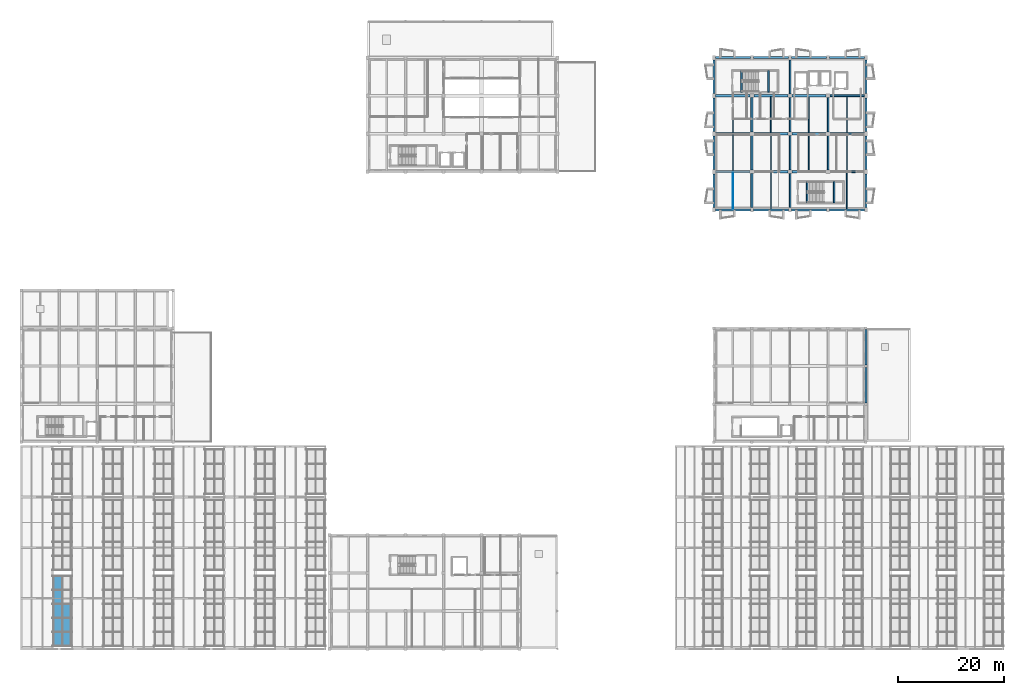
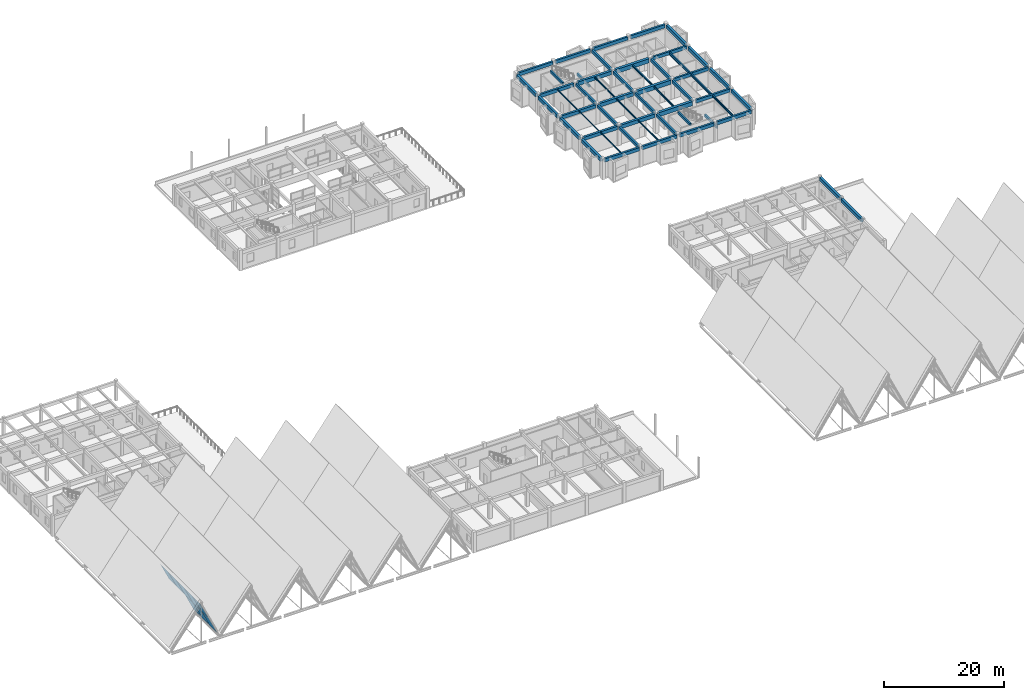
# One storey, part 63 of 99: 54 beams, 8 plates, 1 element without a shape of its own.
"""IFC4 building model written with IfcOpenShell, lengths in metres."""

from ifc_helpers import new_model, si_unit, direction, frame, origin, origin_2d, place, context, subcontext, project, spatial, polyline, rectangle, i_section, outline, extrude, material, layer, layer_set, material_profile, profile_set, type_object, element, aggregate, save


model = new_model("IFC4")

# Units and contexts
model_context = context("Model", 3, precision=1e-05, world=origin(), true_north=direction((0.0, 1.0)))
body_context = subcontext(model_context, "Body", "Model", "MODEL_VIEW")
ifc_project = project(units=[si_unit("LENGTHUNIT", "METRE"), si_unit("AREAUNIT", "SQUARE_METRE"), si_unit("VOLUMEUNIT", "CUBIC_METRE"), si_unit("PLANEANGLEUNIT", "RADIAN"), si_unit("MASSUNIT", "GRAM", prefix="KILO")], contexts=[model_context])

# Site, building, storey
site_placement = place(None, origin())
site = spatial("IfcSite", under=ifc_project, at=site_placement, CompositionType="ELEMENT")
building_placement = place(site_placement, origin())
building = spatial("IfcBuilding", under=site, at=building_placement, Name="Bramveld Media Centre", CompositionType="ELEMENT")
storey_placement = place(building_placement, frame((0.0, 0.0, 13.800048828125)))
storey = spatial("IfcBuildingStorey", under=building, at=storey_placement, Name="L03", CompositionType="ELEMENT", Elevation=13.800048828125)

# Beams
ifc_material_1 = material(Name="Concrete C40/50", Category="concrete")
ifc_material_profile_1 = material_profile(ifc_material_1, rectangle(XDim=0.300048828125, YDim=0.5, at=origin_2d()), Name="RC 300x500")
ifc_profile_set_1 = profile_set([ifc_material_profile_1], Name="Concrete C40/50")
beam_type_1 = type_object("IfcBeamType", Name="BM-INT-RC-300x500", PredefinedType="BEAM", material=ifc_profile_set_1)
for number, where, z_axis, x_axis, name in (
    (1, (136.449951171875, 105.5, 3.949951171875), (0.0, 1.0, 0.0), (-1.0, 0.0, 0.0), "ST-01 L04 stairwell landing trimmer beam"),
    (2, (141.550048828125, 105.5, 1.64990234375), (0.0, 1.0, 0.0), (-1.0, 0.0, 0.0), "ST-01 L03 stairwell half-landing support beam"),
    (3, (148.85009765625, 84.5, 3.949951171875), (0.0, 1.0, 0.0), (-1.0, 0.0, 0.0), "ST-02 L04 stairwell landing trimmer beam"),
    (4, (153.949951171875, 84.5, 1.64990234375), (0.0, 1.0, 0.0), (-1.0, 0.0, 0.0), "ST-02 L03 stairwell half-landing support beam"),
):
    element("IfcBeam", number, at=place(storey_placement, frame(where, z_axis=z_axis, x_axis=x_axis)), inside=storey, type_object=beam_type_1, Name=name, PredefinedType="BEAM", context=body_context, shape_type="SweptSolid", body=[
        extrude(rectangle(XDim=0.300048828125, YDim=0.5, at=origin_2d()), origin(), (0.0, 0.0, 1.0), 4.050048828125),
    ])
ifc_material_2 = material(Name="Concrete C40/50", Category="concrete")
ifc_material_profile_2 = material_profile(ifc_material_2, rectangle(XDim=0.35009765625, YDim=0.60009765625, at=origin_2d()), Name="RC 350x600")
ifc_profile_set_2 = profile_set([ifc_material_profile_2], Name="Concrete C40/50")
beam_type_2 = type_object("IfcBeamType", Name="BM-INT-RC-350x600", PredefinedType="BEAM", material=ifc_profile_set_2)
beam_1_placement = place(storey_placement, frame((138.39990234375, 83.60009765625, 3.64990234375), z_axis=(0.0, 1.0, 0.0), x_axis=(-1.0, 0.0, 0.0)))
element("IfcBeam", 5, at=beam_1_placement, inside=storey, type_object=beam_type_2, Name="V7 L03 girder Y-1410", PredefinedType="BEAM", context=body_context, shape_type="SweptSolid", body=[
    extrude(rectangle(XDim=0.35009765625, YDim=0.60009765625, at=origin_2d()), origin(), (0.0, 0.0, 1.0), 6.449951171875),
])
for number, where, z_axis, x_axis, name in (
    (6, (138.39990234375, 90.75, 3.64990234375), (0.0, 1.0, 0.0), (-1.0, 0.0, 0.0), "V7 L03 girder Y-1411"),
    (7, (138.39990234375, 97.949951171875, 3.64990234375), (0.0, 1.0, 0.0), (-1.0, 0.0, 0.0), "V7 L03 girder Y-1412"),
):
    element("IfcBeam", number, at=place(storey_placement, frame(where, z_axis=z_axis, x_axis=x_axis)), inside=storey, type_object=beam_type_2, Name=name, PredefinedType="BEAM", context=body_context, shape_type="SweptSolid", body=[
        extrude(rectangle(XDim=0.35009765625, YDim=0.60009765625, at=origin_2d()), origin(), (0.0, 0.0, 1.0), 6.5),
    ])
beam_2_placement = place(storey_placement, frame((145.60009765625, 83.60009765625, 3.64990234375), z_axis=(0.0, 1.0, 0.0), x_axis=(-1.0, 0.0, 0.0)))
element("IfcBeam", 8, at=beam_2_placement, inside=storey, type_object=beam_type_2, Name="V7 L03 girder Y-1413", PredefinedType="BEAM", context=body_context, shape_type="SweptSolid", body=[
    extrude(rectangle(XDim=0.35009765625, YDim=0.60009765625, at=origin_2d()), origin(), (0.0, 0.0, 1.0), 6.449951171875),
])
for number, where, z_axis, x_axis, name in (
    (9, (145.60009765625, 90.75, 3.64990234375), (0.0, 1.0, 0.0), (-1.0, 0.0, 0.0), "V7 L03 girder Y-1414"),
    (10, (145.60009765625, 97.949951171875, 3.64990234375), (0.0, 1.0, 0.0), (-1.0, 0.0, 0.0), "V7 L03 girder Y-1415"),
):
    element("IfcBeam", number, at=place(storey_placement, frame(where, z_axis=z_axis, x_axis=x_axis)), inside=storey, type_object=beam_type_2, Name=name, PredefinedType="BEAM", context=body_context, shape_type="SweptSolid", body=[
        extrude(rectangle(XDim=0.35009765625, YDim=0.60009765625, at=origin_2d()), origin(), (0.0, 0.0, 1.0), 6.5),
    ])
beam_3_placement = place(storey_placement, frame((145.60009765625, 105.14990234375, 3.64990234375), z_axis=(0.0, 1.0, 0.0), x_axis=(-1.0, 0.0, 0.0)))
element("IfcBeam", 11, at=beam_3_placement, inside=storey, type_object=beam_type_2, Name="V7 L03 girder Y-1416", PredefinedType="BEAM", context=body_context, shape_type="SweptSolid", body=[
    extrude(rectangle(XDim=0.35009765625, YDim=0.60009765625, at=origin_2d()), origin(), (0.0, 0.0, 1.0), 6.4501953125),
])
for number, where, z_axis, x_axis, name in (
    (12, (152.800048828125, 90.75, 3.64990234375), (0.0, 1.0, 0.0), (-1.0, 0.0, 0.0), "V7 L03 girder Y-1417"),
    (13, (152.800048828125, 97.949951171875, 3.64990234375), (0.0, 1.0, 0.0), (-1.0, 0.0, 0.0), "V7 L03 girder Y-1418"),
):
    element("IfcBeam", number, at=place(storey_placement, frame(where, z_axis=z_axis, x_axis=x_axis)), inside=storey, type_object=beam_type_2, Name=name, PredefinedType="BEAM", context=body_context, shape_type="SweptSolid", body=[
        extrude(rectangle(XDim=0.35009765625, YDim=0.60009765625, at=origin_2d()), origin(), (0.0, 0.0, 1.0), 6.5),
    ])
ifc_material_3 = material(Name="Concrete C40/50", Category="concrete")
ifc_material_profile_3 = material_profile(ifc_material_3, rectangle(XDim=0.35009765625, YDim=0.64990234375, at=origin_2d()), Name="RC 350x650")
ifc_profile_set_3 = profile_set([ifc_material_profile_3], Name="Concrete C40/50")
beam_type_3 = type_object("IfcBeamType", Name="BM-INT-RC-350x650", PredefinedType="BEAM", material=ifc_profile_set_3)
for number, where, z_axis, x_axis, name in (
    (14, (153.14990234375, 90.39990234375, 3.625), (1.0, 0.0, 0.0), (0.0, 1.0, 0.0), "V7 L03 girder X-1393"),
    (15, (153.14990234375, 97.60009765625, 3.625), (1.0, 0.0, 0.0), (0.0, 1.0, 0.0), "V7 L03 girder X-1397"),
    (16, (153.14990234375, 104.800048828125, 3.625), (1.0, 0.0, 0.0), (0.0, 1.0, 0.0), "V7 L03 girder X-1401"),
):
    element("IfcBeam", number, at=place(storey_placement, frame(where, z_axis=z_axis, x_axis=x_axis)), inside=storey, type_object=beam_type_3, Name=name, PredefinedType="BEAM", context=body_context, shape_type="SweptSolid", body=[
        extrude(rectangle(XDim=0.35009765625, YDim=0.64990234375, at=origin_2d()), origin(), (0.0, 0.0, 1.0), 6.5751953125),
    ])
ifc_material_4 = material(Name="Concrete C40/50", Category="concrete")
ifc_material_profile_4 = material_profile(ifc_material_4, rectangle(XDim=0.39990234375, YDim=0.699951171875, at=origin_2d()), Name="RC 400x700")
ifc_profile_set_4 = profile_set([ifc_material_profile_4], Name="Concrete C40/50")
beam_type_4 = type_object("IfcBeamType", Name="BM-INT-RC-400x700", PredefinedType="BEAM", material=ifc_profile_set_4)
for number, where, z_axis, x_axis, name in (
    (17, (131.47509765625, 90.39990234375, 3.599853515625), (1.0, 0.0, 0.0), (0.0, 1.0, 0.0), "V7 L03 girder X-1390"),
    (18, (131.47509765625, 97.60009765625, 3.599853515625), (1.0, 0.0, 0.0), (0.0, 1.0, 0.0), "V7 L03 girder X-1394"),
    (19, (131.47509765625, 104.800048828125, 3.599853515625), (1.0, 0.0, 0.0), (0.0, 1.0, 0.0), "V7 L03 girder X-1398"),
):
    element("IfcBeam", number, at=place(storey_placement, frame(where, z_axis=z_axis, x_axis=x_axis)), inside=storey, type_object=beam_type_4, Name=name, PredefinedType="BEAM", context=body_context, shape_type="SweptSolid", body=[
        extrude(rectangle(XDim=0.39990234375, YDim=0.699951171875, at=origin_2d()), origin(), (0.0, 0.0, 1.0), 6.574951171875),
    ])
ifc_material_5 = material(Name="Concrete C40/50", Category="concrete")
ifc_material_profile_5 = material_profile(ifc_material_5, rectangle(XDim=0.449951171875, YDim=0.75, at=origin_2d()), Name="RC 450x750")
ifc_profile_set_5 = profile_set([ifc_material_profile_5], Name="Concrete C40/50")
beam_type_5 = type_object("IfcBeamType", Name="BM-INT-RC-450x750", PredefinedType="BEAM", material=ifc_profile_set_5)
for number, where, z_axis, x_axis, name in (
    (20, (138.75, 90.39990234375, 3.574951171875), (1.0, 0.0, 0.0), (0.0, 1.0, 0.0), "V7 L03 girder X-1391"),
    (21, (138.75, 97.60009765625, 3.574951171875), (1.0, 0.0, 0.0), (0.0, 1.0, 0.0), "V7 L03 girder X-1395"),
    (22, (138.75, 104.800048828125, 3.574951171875), (1.0, 0.0, 0.0), (0.0, 1.0, 0.0), "V7 L03 girder X-1399"),
):
    element("IfcBeam", number, at=place(storey_placement, frame(where, z_axis=z_axis, x_axis=x_axis)), inside=storey, type_object=beam_type_5, Name=name, PredefinedType="BEAM", context=body_context, shape_type="SweptSolid", body=[
        extrude(rectangle(XDim=0.449951171875, YDim=0.75, at=origin_2d()), origin(), (0.0, 0.0, 1.0), 6.5),
    ])
ifc_material_6 = material(Name="Concrete C40/50", Category="concrete")
ifc_material_profile_6 = material_profile(ifc_material_6, rectangle(XDim=0.5, YDim=0.85009765625, at=origin_2d()), Name="RC 500x850")
ifc_profile_set_6 = profile_set([ifc_material_profile_6], Name="Concrete C40/50")
beam_type_6 = type_object("IfcBeamType", Name="BM-INT-RC-500x850", PredefinedType="BEAM", material=ifc_profile_set_6)
for number, where, z_axis, x_axis, name in (
    (23, (145.949951171875, 90.39990234375, 3.52490234375), (1.0, 0.0, 0.0), (0.0, 1.0, 0.0), "V7 L03 girder X-1392"),
    (24, (145.949951171875, 97.60009765625, 3.52490234375), (1.0, 0.0, 0.0), (0.0, 1.0, 0.0), "V7 L03 girder X-1396"),
    (25, (145.949951171875, 104.800048828125, 3.52490234375), (1.0, 0.0, 0.0), (0.0, 1.0, 0.0), "V7 L03 girder X-1400"),
):
    element("IfcBeam", number, at=place(storey_placement, frame(where, z_axis=z_axis, x_axis=x_axis)), inside=storey, type_object=beam_type_6, Name=name, PredefinedType="BEAM", context=body_context, shape_type="SweptSolid", body=[
        extrude(rectangle(XDim=0.5, YDim=0.85009765625, at=origin_2d()), origin(), (0.0, 0.0, 1.0), 6.5),
    ])
ifc_material_7 = material(Name="Steel S355J2", Category="steel")
ifc_material_profile_7 = material_profile(ifc_material_7, i_section(OverallWidth=0.091064453125, OverallDepth=0.179931640625, WebThickness=0.00537109375, FlangeThickness=0.008056640625, FilletRadius=0.009033203125, at=origin_2d()), Name="IPE 180")
ifc_profile_set_7 = profile_set([ifc_material_profile_7], Name="Steel S355J2")
beam_type_7 = type_object("IfcBeamType", Name="SBM-INT-IPE-180", PredefinedType="JOIST", material=ifc_profile_set_7)
beam_4_placement = place(storey_placement, frame((134.800048828125, 83.389892578125, 3.85986328125), z_axis=(0.0, 1.0, 0.0), x_axis=(-1.0, 0.0, 0.0)))
element("IfcBeam", 26, at=beam_4_placement, inside=storey, type_object=beam_type_7, Name="V7 L03 secondary floor joist 1423", PredefinedType="JOIST", context=body_context, shape_type="SweptSolid", body=[
    extrude(i_section(OverallWidth=0.091064453125, OverallDepth=0.179931640625, WebThickness=0.00537109375, FlangeThickness=0.008056640625, FilletRadius=0.009033203125, at=origin_2d()), origin(), (0.0, 0.0, 1.0), 6.81005859375),
])
ifc_material_8 = material(Name="Steel S355J2", Category="steel")
ifc_material_profile_8 = material_profile(ifc_material_8, i_section(OverallWidth=0.110107421875, OverallDepth=0.219970703125, WebThickness=0.005859375, FlangeThickness=0.00927734375, FilletRadius=0.011962890625, at=origin_2d()), Name="IPE 220")
ifc_profile_set_8 = profile_set([ifc_material_profile_8], Name="Steel S355J2")
beam_type_8 = type_object("IfcBeamType", Name="SBM-INT-IPE-220", PredefinedType="JOIST", material=ifc_profile_set_8)
beam_5_placement = place(storey_placement, frame((134.800048828125, 90.60009765625, 3.83984375), z_axis=(0.0, 1.0, 0.0), x_axis=(-1.0, 0.0, 0.0)))
element("IfcBeam", 27, at=beam_5_placement, inside=storey, type_object=beam_type_8, Name="V7 L03 secondary floor joist 1424", PredefinedType="JOIST", context=body_context, shape_type="SweptSolid", body=[
    extrude(i_section(OverallWidth=0.110107421875, OverallDepth=0.219970703125, WebThickness=0.005859375, FlangeThickness=0.00927734375, FilletRadius=0.011962890625, at=origin_2d()), origin(), (0.0, 0.0, 1.0), 6.7998046875),
])
ifc_material_9 = material(Name="Steel S355J2", Category="steel")
ifc_material_profile_9 = material_profile(ifc_material_9, i_section(OverallWidth=0.1201171875, OverallDepth=0.239990234375, WebThickness=0.006103515625, FlangeThickness=0.009765625, FilletRadius=0.014892578125, at=origin_2d()), Name="IPE 240")
ifc_profile_set_9 = profile_set([ifc_material_profile_9], Name="Steel S355J2")
beam_type_9 = type_object("IfcBeamType", Name="SBM-INT-IPE-240", PredefinedType="JOIST", material=ifc_profile_set_9)
beam_6_placement = place(storey_placement, frame((134.800048828125, 97.800048828125, 3.829833984375), z_axis=(0.0, 1.0, 0.0), x_axis=(-1.0, 0.0, 0.0)))
element("IfcBeam", 28, at=beam_6_placement, inside=storey, type_object=beam_type_9, Name="V7 L03 secondary floor joist 1425", PredefinedType="JOIST", context=body_context, shape_type="SweptSolid", body=[
    extrude(i_section(OverallWidth=0.1201171875, OverallDepth=0.239990234375, WebThickness=0.006103515625, FlangeThickness=0.009765625, FilletRadius=0.014892578125, at=origin_2d()), origin(), (0.0, 0.0, 1.0), 6.800048828125),
])
ifc_material_10 = material(Name="Steel S355J2", Category="steel")
ifc_material_profile_10 = material_profile(ifc_material_10, i_section(OverallWidth=0.135009765625, OverallDepth=0.27001953125, WebThickness=0.006591796875, FlangeThickness=0.01025390625, FilletRadius=0.014892578125, at=origin_2d()), Name="IPE 270")
ifc_profile_set_10 = profile_set([ifc_material_profile_10], Name="Steel S355J2")
beam_type_10 = type_object("IfcBeamType", Name="SBM-INT-IPE-270", PredefinedType="JOIST", material=ifc_profile_set_10)
beam_7_placement = place(storey_placement, frame((142.0, 83.389892578125, 3.81494140625), z_axis=(0.0, 1.0, 0.0), x_axis=(-1.0, 0.0, 0.0)))
element("IfcBeam", 29, at=beam_7_placement, inside=storey, type_object=beam_type_10, Name="V7 L03 secondary floor joist 1426", PredefinedType="JOIST", context=body_context, shape_type="SweptSolid", body=[
    extrude(i_section(OverallWidth=0.135009765625, OverallDepth=0.27001953125, WebThickness=0.006591796875, FlangeThickness=0.01025390625, FilletRadius=0.014892578125, at=origin_2d()), origin(), (0.0, 0.0, 1.0), 6.78515625),
])
ifc_material_11 = material(Name="Steel S355J2", Category="steel")
ifc_material_profile_11 = material_profile(ifc_material_11, i_section(OverallWidth=0.14990234375, OverallDepth=0.300048828125, WebThickness=0.007080078125, FlangeThickness=0.0107421875, FilletRadius=0.014892578125, at=origin_2d()), Name="IPE 300")
ifc_profile_set_11 = profile_set([ifc_material_profile_11], Name="Steel S355J2")
beam_type_11 = type_object("IfcBeamType", Name="SBM-INT-IPE-300", PredefinedType="JOIST", material=ifc_profile_set_11)
beam_8_placement = place(storey_placement, frame((142.0, 90.625, 3.800048828125), z_axis=(0.0, 1.0, 0.0), x_axis=(-1.0, 0.0, 0.0)))
element("IfcBeam", 30, at=beam_8_placement, inside=storey, type_object=beam_type_11, Name="V7 L03 secondary floor joist 1427", PredefinedType="JOIST", context=body_context, shape_type="SweptSolid", body=[
    extrude(i_section(OverallWidth=0.14990234375, OverallDepth=0.300048828125, WebThickness=0.007080078125, FlangeThickness=0.0107421875, FilletRadius=0.014892578125, at=origin_2d()), origin(), (0.0, 0.0, 1.0), 6.75),
])
ifc_material_12 = material(Name="Steel S355J2", Category="steel")
ifc_material_profile_12 = material_profile(ifc_material_12, i_section(OverallWidth=0.159912109375, OverallDepth=0.330078125, WebThickness=0.007568359375, FlangeThickness=0.011474609375, FilletRadius=0.01806640625, at=origin_2d()), Name="IPE 330")
ifc_profile_set_12 = profile_set([ifc_material_profile_12], Name="Steel S355J2")
beam_type_12 = type_object("IfcBeamType", Name="SBM-INT-IPE-330", PredefinedType="JOIST", material=ifc_profile_set_12)
beam_9_placement = place(storey_placement, frame((142.0, 97.824951171875, 3.784912109375), z_axis=(0.0, 1.0, 0.0), x_axis=(-1.0, 0.0, 0.0)))
element("IfcBeam", 31, at=beam_9_placement, inside=storey, type_object=beam_type_12, Name="V7 L03 secondary floor joist 1428", PredefinedType="JOIST", context=body_context, shape_type="SweptSolid", body=[
    extrude(i_section(OverallWidth=0.159912109375, OverallDepth=0.330078125, WebThickness=0.007568359375, FlangeThickness=0.011474609375, FilletRadius=0.01806640625, at=origin_2d()), origin(), (0.0, 0.0, 1.0), 6.75),
])
ifc_material_13 = material(Name="Steel S355J2", Category="steel")
ifc_material_profile_13 = material_profile(ifc_material_13, i_section(OverallWidth=0.169921875, OverallDepth=0.360107421875, WebThickness=0.008056640625, FlangeThickness=0.0126953125, FilletRadius=0.01806640625, at=origin_2d()), Name="IPE 360")
ifc_profile_set_13 = profile_set([ifc_material_profile_13], Name="Steel S355J2")
beam_type_13 = type_object("IfcBeamType", Name="SBM-INT-IPE-360", PredefinedType="JOIST", material=ifc_profile_set_13)
beam_10_placement = place(storey_placement, frame((149.199951171875, 90.64990234375, 3.77001953125), z_axis=(0.0, 1.0, 0.0), x_axis=(-1.0, 0.0, 0.0)))
element("IfcBeam", 32, at=beam_10_placement, inside=storey, type_object=beam_type_13, Name="V7 L03 secondary floor joist 1429", PredefinedType="JOIST", context=body_context, shape_type="SweptSolid", body=[
    extrude(i_section(OverallWidth=0.169921875, OverallDepth=0.360107421875, WebThickness=0.008056640625, FlangeThickness=0.0126953125, FilletRadius=0.01806640625, at=origin_2d()), origin(), (0.0, 0.0, 1.0), 6.7001953125),
])
ifc_material_14 = material(Name="Steel S355J2", Category="steel")
ifc_material_profile_14 = material_profile(ifc_material_14, i_section(OverallWidth=0.179931640625, OverallDepth=0.39990234375, WebThickness=0.008544921875, FlangeThickness=0.013427734375, FilletRadius=0.02099609375, at=origin_2d()), Name="IPE 400")
ifc_profile_set_14 = profile_set([ifc_material_profile_14], Name="Steel S355J2")
beam_type_14 = type_object("IfcBeamType", Name="SBM-INT-IPE-400", PredefinedType="JOIST", material=ifc_profile_set_14)
beam_11_placement = place(storey_placement, frame((149.199951171875, 97.85009765625, 3.75), z_axis=(0.0, 1.0, 0.0), x_axis=(-1.0, 0.0, 0.0)))
element("IfcBeam", 33, at=beam_11_placement, inside=storey, type_object=beam_type_14, Name="V7 L03 secondary floor joist 1430", PredefinedType="JOIST", context=body_context, shape_type="SweptSolid", body=[
    extrude(i_section(OverallWidth=0.179931640625, OverallDepth=0.39990234375, WebThickness=0.008544921875, FlangeThickness=0.013427734375, FilletRadius=0.02099609375, at=origin_2d()), origin(), (0.0, 0.0, 1.0), 6.699951171875),
])
ifc_material_15 = material(Name="Steel S355J2", Category="steel")
ifc_material_profile_15 = material_profile(ifc_material_15, i_section(OverallWidth=0.18994140625, OverallDepth=0.449951171875, WebThickness=0.009521484375, FlangeThickness=0.0146484375, FilletRadius=0.02099609375, at=origin_2d()), Name="IPE 450")
ifc_profile_set_15 = profile_set([ifc_material_profile_15], Name="Steel S355J2")
beam_type_15 = type_object("IfcBeamType", Name="SBM-INT-IPE-450", PredefinedType="BEAM", material=ifc_profile_set_15)
beam_12_placement = place(storey_placement, frame((156.39990234375, 83.389892578125, 3.724853515625), z_axis=(0.0, 1.0, 0.0), x_axis=(-1.0, 0.0, 0.0)))
element("IfcBeam", 34, at=beam_12_placement, inside=storey, type_object=beam_type_15, Name="V7 L03 secondary floor joist 1431", PredefinedType="BEAM", context=body_context, shape_type="SweptSolid", body=[
    extrude(i_section(OverallWidth=0.18994140625, OverallDepth=0.449951171875, WebThickness=0.009521484375, FlangeThickness=0.0146484375, FilletRadius=0.02099609375, at=origin_2d()), origin(), (0.0, 0.0, 1.0), 6.835205078125),
])
ifc_material_16 = material(Name="Steel S355J2", Category="steel")
ifc_material_profile_16 = material_profile(ifc_material_16, i_section(OverallWidth=0.199951171875, OverallDepth=0.5, WebThickness=0.01025390625, FlangeThickness=0.01611328125, FilletRadius=0.02099609375, at=origin_2d()), Name="IPE 500")
ifc_profile_set_16 = profile_set([ifc_material_profile_16], Name="Steel S355J2")
beam_type_16 = type_object("IfcBeamType", Name="SBM-INT-IPE-500", PredefinedType="BEAM", material=ifc_profile_set_16)
beam_13_placement = place(storey_placement, frame((156.39990234375, 90.574951171875, 3.699951171875), z_axis=(0.0, 1.0, 0.0), x_axis=(-1.0, 0.0, 0.0)))
element("IfcBeam", 35, at=beam_13_placement, inside=storey, type_object=beam_type_16, Name="V7 L03 secondary floor joist 1432", PredefinedType="BEAM", context=body_context, shape_type="SweptSolid", body=[
    extrude(i_section(OverallWidth=0.199951171875, OverallDepth=0.5, WebThickness=0.01025390625, FlangeThickness=0.01611328125, FilletRadius=0.02099609375, at=origin_2d()), origin(), (0.0, 0.0, 1.0), 6.85009765625),
])
ifc_material_17 = material(Name="Steel S355J2", Category="steel")
ifc_material_profile_17 = material_profile(ifc_material_17, i_section(OverallWidth=0.2099609375, OverallDepth=0.550048828125, WebThickness=0.010986328125, FlangeThickness=0.01708984375, FilletRadius=0.02392578125, at=origin_2d()), Name="IPE 550")
ifc_profile_set_17 = profile_set([ifc_material_profile_17], Name="Steel S355J2")
beam_type_17 = type_object("IfcBeamType", Name="SBM-INT-IPE-550", PredefinedType="BEAM", material=ifc_profile_set_17)
beam_14_placement = place(storey_placement, frame((156.39990234375, 97.77490234375, 3.675048828125), z_axis=(0.0, 1.0, 0.0), x_axis=(-1.0, 0.0, 0.0)))
element("IfcBeam", 36, at=beam_14_placement, inside=storey, type_object=beam_type_17, Name="V7 L03 secondary floor joist 1433", PredefinedType="BEAM", context=body_context, shape_type="SweptSolid", body=[
    extrude(i_section(OverallWidth=0.2099609375, OverallDepth=0.550048828125, WebThickness=0.010986328125, FlangeThickness=0.01708984375, FilletRadius=0.02392578125, at=origin_2d()), origin(), (0.0, 0.0, 1.0), 6.85009765625),
])
ifc_material_18 = material(Name="Concrete C40/50", Category="concrete")
ifc_material_profile_18 = material_profile(ifc_material_18, rectangle(XDim=0.3798828125, YDim=0.679931640625, at=origin_2d()), Name="RC 380x680")
ifc_profile_set_18 = profile_set([ifc_material_profile_18], Name="Concrete C40/50")
beam_type_18 = type_object("IfcBeamType", Name="SPANDREL-EXT-RC-380x680", PredefinedType="SPANDREL", material=ifc_profile_set_18)
for number, where, z_axis, x_axis, name in (
    (37, (131.47509765625, 83.199951171875, 3.60986328125), (1.0, 0.0, 0.0), (0.0, 1.0, 0.0), "V7 L03 girder X-1386"),
    (38, (138.675048828125, 83.199951171875, 3.60986328125), (1.0, 0.0, 0.0), (0.0, 1.0, 0.0), "V7 L03 girder X-1387"),
    (39, (145.875, 83.199951171875, 3.60986328125), (1.0, 0.0, 0.0), (0.0, 1.0, 0.0), "V7 L03 girder X-1388"),
):
    element("IfcBeam", number, at=place(storey_placement, frame(where, z_axis=z_axis, x_axis=x_axis)), inside=storey, type_object=beam_type_18, Name=name, PredefinedType="SPANDREL", context=body_context, shape_type="SweptSolid", body=[
        extrude(rectangle(XDim=0.3798828125, YDim=0.679931640625, at=origin_2d()), origin(), (0.0, 0.0, 1.0), 6.64990234375),
    ])
beam_15_placement = place(storey_placement, frame((153.074951171875, 83.199951171875, 3.60986328125), z_axis=(1.0, 0.0, 0.0), x_axis=(0.0, 1.0, 0.0)))
element("IfcBeam", 40, at=beam_15_placement, inside=storey, type_object=beam_type_18, Name="V7 L03 girder X-1389", PredefinedType="SPANDREL", context=body_context, shape_type="SweptSolid", body=[
    extrude(rectangle(XDim=0.3798828125, YDim=0.679931640625, at=origin_2d()), origin(), (0.0, 0.0, 1.0), 6.650146484375),
])
for number, where, z_axis, x_axis, name in (
    (41, (131.47509765625, 112.0, 3.60986328125), (1.0, 0.0, 0.0), (0.0, 1.0, 0.0), "V7 L03 girder X-1402"),
    (42, (138.675048828125, 112.0, 3.60986328125), (1.0, 0.0, 0.0), (0.0, 1.0, 0.0), "V7 L03 girder X-1403"),
    (43, (145.875, 112.0, 3.60986328125), (1.0, 0.0, 0.0), (0.0, 1.0, 0.0), "V7 L03 girder X-1404"),
):
    element("IfcBeam", number, at=place(storey_placement, frame(where, z_axis=z_axis, x_axis=x_axis)), inside=storey, type_object=beam_type_18, Name=name, PredefinedType="SPANDREL", context=body_context, shape_type="SweptSolid", body=[
        extrude(rectangle(XDim=0.3798828125, YDim=0.679931640625, at=origin_2d()), origin(), (0.0, 0.0, 1.0), 6.64990234375),
    ])
beam_16_placement = place(storey_placement, frame((153.074951171875, 112.0, 3.60986328125), z_axis=(1.0, 0.0, 0.0), x_axis=(0.0, 1.0, 0.0)))
element("IfcBeam", 44, at=beam_16_placement, inside=storey, type_object=beam_type_18, Name="V7 L03 girder X-1405", PredefinedType="SPANDREL", context=body_context, shape_type="SweptSolid", body=[
    extrude(rectangle(XDim=0.3798828125, YDim=0.679931640625, at=origin_2d()), origin(), (0.0, 0.0, 1.0), 6.650146484375),
])
ifc_material_19 = material(Name="Concrete C40/50", Category="concrete")
ifc_material_profile_19 = material_profile(ifc_material_19, rectangle(XDim=0.419921875, YDim=0.719970703125, at=origin_2d()), Name="RC 420x720")
ifc_profile_set_19 = profile_set([ifc_material_profile_19], Name="Concrete C40/50")
beam_type_19 = type_object("IfcBeamType", Name="SPANDREL-EXT-RC-420x720", PredefinedType="SPANDREL", material=ifc_profile_set_19)
beam_17_placement = place(storey_placement, frame((160.0, 46.639892578125, 3.599853515625), z_axis=(0.0, 1.0, 0.0), x_axis=(-1.0, 0.0, 0.0)))
element("IfcBeam", 45, at=beam_17_placement, inside=storey, type_object=beam_type_19, Name="V4 L03 girder Y-642", PredefinedType="SPANDREL", context=body_context, shape_type="SweptSolid", body=[
    extrude(rectangle(XDim=0.419921875, YDim=0.719970703125, at=origin_2d()), origin(), (0.0, 0.0, 1.0), 6.72021484375),
])
beam_18_placement = place(storey_placement, frame((160.0, 53.840087890625, 3.599853515625), z_axis=(0.0, 1.0, 0.0), x_axis=(-1.0, 0.0, 0.0)))
element("IfcBeam", 46, at=beam_18_placement, inside=storey, type_object=beam_type_19, Name="V4 L03 girder Y-643", PredefinedType="SPANDREL", context=body_context, shape_type="SweptSolid", body=[
    extrude(rectangle(XDim=0.419921875, YDim=0.719970703125, at=origin_2d()), origin(), (0.0, 0.0, 1.0), 6.719970703125),
])
for number, where, z_axis, x_axis, name in (
    (47, (131.199951171875, 83.60009765625, 3.58984375), (0.0, 1.0, 0.0), (-1.0, 0.0, 0.0), "V7 L03 girder Y-1406"),
    (48, (131.199951171875, 90.800048828125, 3.58984375), (0.0, 1.0, 0.0), (-1.0, 0.0, 0.0), "V7 L03 girder Y-1407"),
    (49, (131.199951171875, 98.0, 3.58984375), (0.0, 1.0, 0.0), (-1.0, 0.0, 0.0), "V7 L03 girder Y-1408"),
):
    element("IfcBeam", number, at=place(storey_placement, frame(where, z_axis=z_axis, x_axis=x_axis)), inside=storey, type_object=beam_type_19, Name=name, PredefinedType="SPANDREL", context=body_context, shape_type="SweptSolid", body=[
        extrude(rectangle(XDim=0.419921875, YDim=0.719970703125, at=origin_2d()), origin(), (0.0, 0.0, 1.0), 6.39990234375),
    ])
beam_19_placement = place(storey_placement, frame((131.199951171875, 105.199951171875, 3.58984375), z_axis=(0.0, 1.0, 0.0), x_axis=(-1.0, 0.0, 0.0)))
element("IfcBeam", 50, at=beam_19_placement, inside=storey, type_object=beam_type_19, Name="V7 L03 girder Y-1409", PredefinedType="SPANDREL", context=body_context, shape_type="SweptSolid", body=[
    extrude(rectangle(XDim=0.419921875, YDim=0.719970703125, at=origin_2d()), origin(), (0.0, 0.0, 1.0), 6.400146484375),
])
for number, where, z_axis, x_axis, name in (
    (51, (160.0, 83.60009765625, 3.58984375), (0.0, 1.0, 0.0), (-1.0, 0.0, 0.0), "V7 L03 girder Y-1419"),
    (52, (160.0, 90.800048828125, 3.58984375), (0.0, 1.0, 0.0), (-1.0, 0.0, 0.0), "V7 L03 girder Y-1420"),
    (53, (160.0, 98.0, 3.58984375), (0.0, 1.0, 0.0), (-1.0, 0.0, 0.0), "V7 L03 girder Y-1421"),
):
    element("IfcBeam", number, at=place(storey_placement, frame(where, z_axis=z_axis, x_axis=x_axis)), inside=storey, type_object=beam_type_19, Name=name, PredefinedType="SPANDREL", context=body_context, shape_type="SweptSolid", body=[
        extrude(rectangle(XDim=0.419921875, YDim=0.719970703125, at=origin_2d()), origin(), (0.0, 0.0, 1.0), 6.39990234375),
    ])
beam_20_placement = place(storey_placement, frame((160.0, 105.199951171875, 3.58984375), z_axis=(0.0, 1.0, 0.0), x_axis=(-1.0, 0.0, 0.0)))
element("IfcBeam", 54, at=beam_20_placement, inside=storey, type_object=beam_type_19, Name="V7 L03 girder Y-1422", PredefinedType="SPANDREL", context=body_context, shape_type="SweptSolid", body=[
    extrude(rectangle(XDim=0.419921875, YDim=0.719970703125, at=origin_2d()), origin(), (0.0, 0.0, 1.0), 6.400146484375),
])

# Curtain wall, plates
ifc_material_20 = material(Name="Thermally broken anodized bronze aluminium unitized curtain wall with solar-control triple glazing", Category="aluminium")
curtain_wall_type = type_object("IfcCurtainWallType", Name="CW-SAW-13300x8606", PredefinedType="NOTDEFINED", material=ifc_material_20)
curtain_wall_placement = place(storey_placement, origin())
curtain_wall = element("IfcCurtainWall", 55, at=curtain_wall_placement, inside=storey, type_object=curtain_wall_type, Name="V2 sawtooth north-light clerestory B1-S1", PredefinedType="NOTDEFINED")
ifc_material_21 = material(Name="Solar-control triple insulating safety glass unit", Category="glass")
ifc_layer = layer(ifc_material_21, 0.028076171875)
ifc_layer_set = layer_set([ifc_layer], Name="Solar-control triple insulating safety glass unit")
plate_type = type_object("IfcPlateType", Name="CW-PAN-SLP", PredefinedType="CURTAIN_PANEL", material=ifc_layer_set)
plate_1_placement = place(storey_placement, frame((9.439697265625, 0.6201171875, 0.322509765625), z_axis=(0.9056675867, 0.0, 0.423988469657), x_axis=(0.0, 1.0, 0.0)))
plate_1 = element("IfcPlate", 56, at=plate_1_placement, type_object=plate_type, Name="CW-SA-13386 glass panel 1.1", PredefinedType="CURTAIN_PANEL", context=body_context, shape_type="SweptSolid", body=[
    extrude(outline(polyline([(0.0, 0.0), (2.554931640625, 0.0), (2.554931640625, 3.8764136412276113), (0.0, 3.8764136412276113), (0.0, 0.0)])), origin(), (0.0, 0.0, -1.0), 0.028076171875),
])
plate_2_placement = place(storey_placement, frame((7.7666015625, 0.6201171875, 3.896728515625), z_axis=(0.9056675867, 0.0, 0.423988469657), x_axis=(0.0, 1.0, 0.0)))
plate_2 = element("IfcPlate", 57, at=plate_2_placement, type_object=plate_type, Name="CW-SA-13386 glass panel 1.2", PredefinedType="CURTAIN_PANEL", context=body_context, shape_type="SweptSolid", body=[
    extrude(outline(polyline([(0.0, 0.0), (2.554931640625, 0.0), (2.554931640625, 3.8764136412276113), (0.0, 3.8764136412276113), (0.0, 0.0)])), origin(), (0.0, 0.0, -1.0), 0.028076171875),
])
plate_3_placement = place(storey_placement, frame((9.439697265625, 3.2451171875, 0.322509765625), z_axis=(0.9056675867, 0.0, 0.423988469657), x_axis=(0.0, 1.0, 0.0)))
plate_3 = element("IfcPlate", 58, at=plate_3_placement, type_object=plate_type, Name="CW-SA-13386 glass panel 2.1", PredefinedType="CURTAIN_PANEL", context=body_context, shape_type="SweptSolid", body=[
    extrude(outline(polyline([(0.0, 0.0), (2.58984375, 0.0), (2.58984375, 3.876413641227611), (0.0, 3.876413641227611), (0.0, 0.0)])), origin(), (0.0, 0.0, -1.0), 0.028076171875),
])
plate_4_placement = place(storey_placement, frame((7.7666015625, 3.2451171875, 3.896728515625), z_axis=(0.9056675867, 0.0, 0.423988469657), x_axis=(0.0, 1.0, 0.0)))
plate_4 = element("IfcPlate", 59, at=plate_4_placement, type_object=plate_type, Name="CW-SA-13386 glass panel 2.2", PredefinedType="CURTAIN_PANEL", context=body_context, shape_type="SweptSolid", body=[
    extrude(outline(polyline([(0.0, 0.0), (2.58984375, 0.0), (2.58984375, 3.876413641227611), (0.0, 3.876413641227611), (0.0, 0.0)])), origin(), (0.0, 0.0, -1.0), 0.028076171875),
])
plate_5_placement = place(storey_placement, frame((9.439697265625, 5.905029296875, 0.322509765625), z_axis=(0.9056675867, 0.0, 0.423988469657), x_axis=(0.0, 1.0, 0.0)))
plate_5 = element("IfcPlate", 60, at=plate_5_placement, type_object=plate_type, Name="CW-SA-13386 glass panel 3.1", PredefinedType="CURTAIN_PANEL", context=body_context, shape_type="SweptSolid", body=[
    extrude(outline(polyline([(0.0, 0.0), (2.590087890625, 0.0), (2.590087890625, 3.876413641227611), (0.0, 3.876413641227611), (0.0, 0.0)])), origin(), (0.0, 0.0, -1.0), 0.028076171875),
])
plate_6_placement = place(storey_placement, frame((7.7666015625, 5.905029296875, 3.896728515625), z_axis=(0.9056675867, 0.0, 0.423988469657), x_axis=(0.0, 1.0, 0.0)))
plate_6 = element("IfcPlate", 61, at=plate_6_placement, type_object=plate_type, Name="CW-SA-13386 glass panel 3.2", PredefinedType="CURTAIN_PANEL", context=body_context, shape_type="SweptSolid", body=[
    extrude(outline(polyline([(0.0, 0.0), (2.590087890625, 0.0), (2.590087890625, 3.876413641227611), (0.0, 3.876413641227611), (0.0, 0.0)])), origin(), (0.0, 0.0, -1.0), 0.028076171875),
])
plate_7_placement = place(storey_placement, frame((7.7666015625, 8.56494140625, 3.896728515625), z_axis=(0.9056675867, 0.0, 0.423988469657), x_axis=(0.0, 1.0, 0.0)))
plate_7 = element("IfcPlate", 62, at=plate_7_placement, type_object=plate_type, Name="CW-SA-13386 glass panel 4.2", PredefinedType="CURTAIN_PANEL", context=body_context, shape_type="SweptSolid", body=[
    extrude(outline(polyline([(0.0, 0.0), (2.590087890625, 0.0), (2.590087890625, 3.876413641227611), (0.0, 3.876413641227611), (0.0, 0.0)])), origin(), (0.0, 0.0, -1.0), 0.028076171875),
])
plate_8_placement = place(storey_placement, frame((7.7666015625, 11.22509765625, 3.896728515625), z_axis=(0.9056675867, 0.0, 0.423988469657), x_axis=(0.0, 1.0, 0.0)))
plate_8 = element("IfcPlate", 63, at=plate_8_placement, type_object=plate_type, Name="CW-SA-13386 glass panel 5.2", PredefinedType="CURTAIN_PANEL", context=body_context, shape_type="SweptSolid", body=[
    extrude(outline(polyline([(0.0, 0.0), (2.554931640625, 0.0), (2.554931640625, 3.8764136412276113), (0.0, 3.8764136412276113), (0.0, 0.0)])), origin(), (0.0, 0.0, -1.0), 0.028076171875),
])
aggregate(curtain_wall, [plate_1, plate_2, plate_3, plate_4, plate_5, plate_6, plate_7, plate_8])

save(model, "model.ifc")
